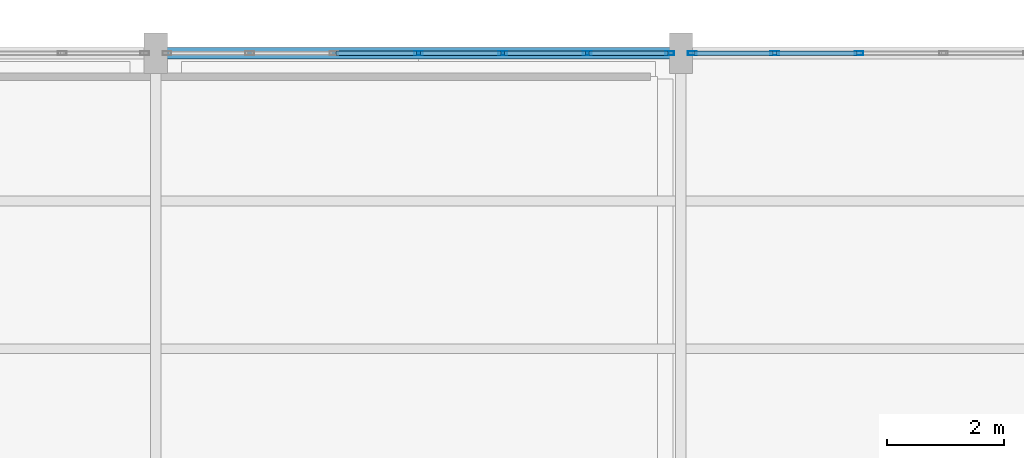
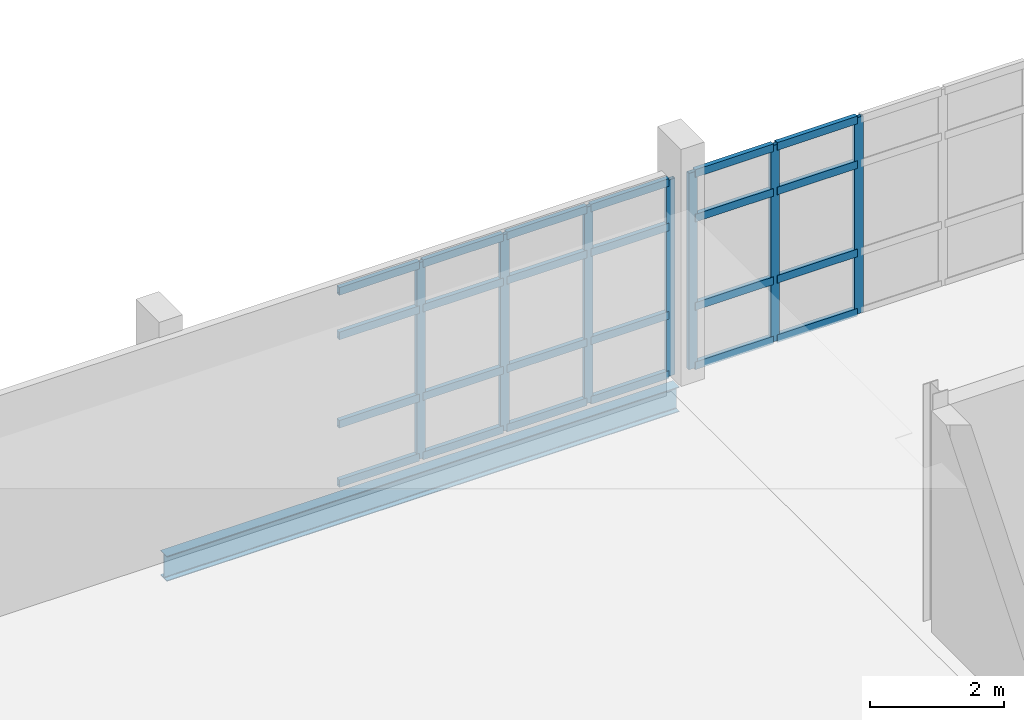
# One storey, part 100 of 174: 31 members, 1 beam, 2 elements without a shape of their own.
"""IFC4 building model written with IfcOpenShell, lengths in metres."""

from ifc_helpers import new_model, si_unit, direction, frame, origin, origin_2d, place, context, subcontext, project, spatial, hollow_rectangle, i_section, extrude, material, material_profile, profile_set, type_object, element, aggregate, save


model = new_model("IFC4")

# Units and contexts
model_context = context("Model", 3, precision=1e-05, world=origin(), true_north=direction((0.0, 1.0)))
body_context = subcontext(model_context, "Body", "Model", "MODEL_VIEW")
ifc_project = project(units=[si_unit("LENGTHUNIT", "METRE"), si_unit("AREAUNIT", "SQUARE_METRE"), si_unit("VOLUMEUNIT", "CUBIC_METRE"), si_unit("PLANEANGLEUNIT", "RADIAN"), si_unit("MASSUNIT", "GRAM", prefix="KILO")], contexts=[model_context])

# Site, building, storey
site_placement = place(None, origin())
site = spatial("IfcSite", under=ifc_project, at=site_placement, CompositionType="ELEMENT")
building_placement = place(site_placement, origin())
building = spatial("IfcBuilding", under=site, at=building_placement, Name="Caisbarro Railhouse Central Library", CompositionType="ELEMENT")
storey_placement = place(building_placement, frame((0.0, 0.0, 5.0400390625)))
storey = spatial("IfcBuildingStorey", under=building, at=storey_placement, Name="L01", CompositionType="ELEMENT", Elevation=5.0400390625)

# Beam
ifc_material_1 = material(Name="Steel ASTM A572 Grade 50", Category="steel")
ifc_material_profile_1 = material_profile(ifc_material_1, i_section(OverallWidth=0.18994140625, OverallDepth=0.45703125, WebThickness=0.009033203125, FlangeThickness=0.014404296875, FilletRadius=0.01806640625, at=origin_2d()), Name="W460X74.0")
ifc_profile_set_1 = profile_set([ifc_material_profile_1], Name="Steel ASTM A572 Grade 50")
beam_type = type_object("IfcBeamType", Name="BM-SP01", PredefinedType="SPANDREL", material=ifc_profile_set_1)
beam_placement = place(storey_placement, frame((72.080078125, 114.0, -0.428466796875), z_axis=(1.0, 0.0, 0.0), x_axis=(0.0, 1.0, 0.0)))
element("IfcBeam", 1, at=beam_placement, inside=storey, type_object=beam_type, Name="SP01 beam L01 #1181", PredefinedType="SPANDREL", context=body_context, shape_type="SweptSolid", body=[
    extrude(i_section(OverallWidth=0.18994140625, OverallDepth=0.45703125, WebThickness=0.009033203125, FlangeThickness=0.014404296875, FilletRadius=0.01806640625, at=origin_2d()), origin(), (0.0, 0.0, 1.0), 8.83984375),
])

# Curtain wall, members
ifc_material_2 = material(Name="Anodised architectural aluminium", Category="aluminium")
curtain_wall_type = type_object("IfcCurtainWallType", Name="CW-CW03", PredefinedType="NOTDEFINED", material=ifc_material_2)
curtain_wall_1_placement = place(storey_placement, origin())
curtain_wall_1 = element("IfcCurtainWall", 2, at=curtain_wall_1_placement, inside=storey, type_object=curtain_wall_type, Name="CW03 curtain wall L01 #175", PredefinedType="NOTDEFINED")
ifc_material_profile_2 = material_profile(ifc_material_2, hollow_rectangle(XDim=0.06494140625, YDim=0.14990234375, WallThickness=0.00390625, at=origin_2d()), Name="ALU-MUL-65X150")
ifc_profile_set_2 = profile_set([ifc_material_profile_2], Name="Anodised architectural aluminium")
member_type_1 = type_object("IfcMemberType", Name="CWM-M02", PredefinedType="MULLION", material=ifc_profile_set_2)
member_1_placement = place(storey_placement, frame((76.5, 114.0, 0.0), z_axis=(0.0, 0.0, 1.0), x_axis=(0.0, 1.0, 0.0)))
member_1 = element("IfcMember", 3, at=member_1_placement, type_object=member_type_1, Name="CW03 mullion 4", PredefinedType="MULLION", context=body_context, shape_type="SweptSolid", body=[
    extrude(hollow_rectangle(XDim=0.06494140625, YDim=0.14990234375, WallThickness=0.00390625, at=origin_2d()), origin(), (0.0, 0.0, 1.0), 3.580078125),
])
member_2_placement = place(storey_placement, frame((77.94677734375, 114.0, 0.0), z_axis=(0.0, 0.0, 1.0), x_axis=(0.0, 1.0, 0.0)))
member_2 = element("IfcMember", 4, at=member_2_placement, type_object=member_type_1, Name="CW03 mullion 5", PredefinedType="MULLION", context=body_context, shape_type="SweptSolid", body=[
    extrude(hollow_rectangle(XDim=0.06494140625, YDim=0.14990234375, WallThickness=0.00390625, at=origin_2d()), origin(), (0.0, 0.0, 1.0), 3.580078125),
])
member_3_placement = place(storey_placement, frame((79.393310546875, 114.0, 0.0), z_axis=(0.0, 0.0, 1.0), x_axis=(0.0, 1.0, 0.0)))
member_3 = element("IfcMember", 5, at=member_3_placement, type_object=member_type_1, Name="CW03 mullion 6", PredefinedType="MULLION", context=body_context, shape_type="SweptSolid", body=[
    extrude(hollow_rectangle(XDim=0.06494140625, YDim=0.14990234375, WallThickness=0.00390625, at=origin_2d()), origin(), (0.0, 0.0, 1.0), 3.580078125),
])
member_4_placement = place(storey_placement, frame((80.8076171875, 114.0, 0.0), z_axis=(0.0, 0.0, 1.0), x_axis=(0.0, 1.0, 0.0)))
member_4 = element("IfcMember", 6, at=member_4_placement, type_object=member_type_1, Name="CW03 mullion 7", PredefinedType="MULLION", context=body_context, shape_type="SweptSolid", body=[
    extrude(hollow_rectangle(XDim=0.06494140625, YDim=0.14990234375, WallThickness=0.00390625, at=origin_2d()), origin(), (0.0, 0.0, 1.0), 3.580078125),
])

curtain_wall_2_placement = place(storey_placement, origin())
curtain_wall_2 = element("IfcCurtainWall", 7, at=curtain_wall_2_placement, inside=storey, type_object=curtain_wall_type, Name="CW03 curtain wall L01 #177", PredefinedType="NOTDEFINED")
member_5_placement = place(storey_placement, frame((81.1923828125, 114.0, 0.0), z_axis=(0.0, 0.0, 1.0), x_axis=(0.0, 1.0, 0.0)))
member_5 = element("IfcMember", 8, at=member_5_placement, type_object=member_type_1, Name="CW03 mullion 1", PredefinedType="MULLION", context=body_context, shape_type="SweptSolid", body=[
    extrude(hollow_rectangle(XDim=0.06494140625, YDim=0.14990234375, WallThickness=0.00390625, at=origin_2d()), origin(), (0.0, 0.0, 1.0), 3.580078125),
])
member_6_placement = place(storey_placement, frame((82.606689453125, 114.0, 0.0), z_axis=(0.0, 0.0, 1.0), x_axis=(0.0, 1.0, 0.0)))
member_6 = element("IfcMember", 9, at=member_6_placement, type_object=member_type_1, Name="CW03 mullion 2", PredefinedType="MULLION", context=body_context, shape_type="SweptSolid", body=[
    extrude(hollow_rectangle(XDim=0.06494140625, YDim=0.14990234375, WallThickness=0.00390625, at=origin_2d()), origin(), (0.0, 0.0, 1.0), 3.580078125),
])
member_7_placement = place(storey_placement, frame((84.05322265625, 114.0, 0.0), z_axis=(0.0, 0.0, 1.0), x_axis=(0.0, 1.0, 0.0)))
member_7 = element("IfcMember", 10, at=member_7_placement, type_object=member_type_1, Name="CW03 mullion 3", PredefinedType="MULLION", context=body_context, shape_type="SweptSolid", body=[
    extrude(hollow_rectangle(XDim=0.06494140625, YDim=0.14990234375, WallThickness=0.00390625, at=origin_2d()), origin(), (0.0, 0.0, 1.0), 3.580078125),
])

# Member
ifc_material_profile_3 = material_profile(ifc_material_2, hollow_rectangle(XDim=0.074951171875, YDim=0.139892578125, WallThickness=0.00390625, at=origin_2d()), Name="ALU-TRN-75X140")
ifc_profile_set_3 = profile_set([ifc_material_profile_3], Name="Anodised architectural aluminium")
member_type_2 = type_object("IfcMemberType", Name="CWT-T01", PredefinedType="USERDEFINED", material=ifc_profile_set_3)
member_8_placement = place(storey_placement, frame((75.0859375, 114.0, 0.037353515625), z_axis=(1.0, 0.0, 0.0), x_axis=(0.0, 1.0, 0.0)))
member_8 = element("IfcMember", 11, at=member_8_placement, type_object=member_type_2, Name="CW03 transom 3.1", ObjectType="TRANSOM", PredefinedType="USERDEFINED", context=body_context, shape_type="SweptSolid", body=[
    extrude(hollow_rectangle(XDim=0.074951171875, YDim=0.139892578125, WallThickness=0.00390625, at=origin_2d()), origin(), (0.0, 0.0, 1.0), 1.381591796875),
])

member_9_placement = place(storey_placement, frame((75.0859375, 114.0, 1.119873046875), z_axis=(1.0, 0.0, 0.0), x_axis=(0.0, 1.0, 0.0)))
member_9 = element("IfcMember", 12, at=member_9_placement, type_object=member_type_2, Name="CW03 transom 3.2", ObjectType="TRANSOM", PredefinedType="USERDEFINED", context=body_context, shape_type="SweptSolid", body=[
    extrude(hollow_rectangle(XDim=0.074951171875, YDim=0.139892578125, WallThickness=0.00390625, at=origin_2d()), origin(), (0.0, 0.0, 1.0), 1.381591796875),
])

member_10_placement = place(storey_placement, frame((75.0859375, 114.0, 2.72998046875), z_axis=(1.0, 0.0, 0.0), x_axis=(0.0, 1.0, 0.0)))
member_10 = element("IfcMember", 13, at=member_10_placement, type_object=member_type_2, Name="CW03 transom 3.3", ObjectType="TRANSOM", PredefinedType="USERDEFINED", context=body_context, shape_type="SweptSolid", body=[
    extrude(hollow_rectangle(XDim=0.074951171875, YDim=0.139892578125, WallThickness=0.00390625, at=origin_2d()), origin(), (0.0, 0.0, 1.0), 1.381591796875),
])

member_11_placement = place(storey_placement, frame((75.0859375, 114.0, 3.54248046875), z_axis=(1.0, 0.0, 0.0), x_axis=(0.0, 1.0, 0.0)))
member_11 = element("IfcMember", 14, at=member_11_placement, type_object=member_type_2, Name="CW03 transom 3.4", ObjectType="TRANSOM", PredefinedType="USERDEFINED", context=body_context, shape_type="SweptSolid", body=[
    extrude(hollow_rectangle(XDim=0.074951171875, YDim=0.139892578125, WallThickness=0.00390625, at=origin_2d()), origin(), (0.0, 0.0, 1.0), 1.381591796875),
])

member_12_placement = place(storey_placement, frame((76.532470703125, 114.0, 0.037353515625), z_axis=(1.0, 0.0, 0.0), x_axis=(0.0, 1.0, 0.0)))
member_12 = element("IfcMember", 15, at=member_12_placement, type_object=member_type_2, Name="CW03 transom 4.1", ObjectType="TRANSOM", PredefinedType="USERDEFINED", context=body_context, shape_type="SweptSolid", body=[
    extrude(hollow_rectangle(XDim=0.074951171875, YDim=0.139892578125, WallThickness=0.00390625, at=origin_2d()), origin(), (0.0, 0.0, 1.0), 1.381591796875),
])

member_13_placement = place(storey_placement, frame((76.532470703125, 114.0, 1.119873046875), z_axis=(1.0, 0.0, 0.0), x_axis=(0.0, 1.0, 0.0)))
member_13 = element("IfcMember", 16, at=member_13_placement, type_object=member_type_2, Name="CW03 transom 4.2", ObjectType="TRANSOM", PredefinedType="USERDEFINED", context=body_context, shape_type="SweptSolid", body=[
    extrude(hollow_rectangle(XDim=0.074951171875, YDim=0.139892578125, WallThickness=0.00390625, at=origin_2d()), origin(), (0.0, 0.0, 1.0), 1.381591796875),
])

member_14_placement = place(storey_placement, frame((76.532470703125, 114.0, 2.72998046875), z_axis=(1.0, 0.0, 0.0), x_axis=(0.0, 1.0, 0.0)))
member_14 = element("IfcMember", 17, at=member_14_placement, type_object=member_type_2, Name="CW03 transom 4.3", ObjectType="TRANSOM", PredefinedType="USERDEFINED", context=body_context, shape_type="SweptSolid", body=[
    extrude(hollow_rectangle(XDim=0.074951171875, YDim=0.139892578125, WallThickness=0.00390625, at=origin_2d()), origin(), (0.0, 0.0, 1.0), 1.381591796875),
])

member_15_placement = place(storey_placement, frame((76.532470703125, 114.0, 3.54248046875), z_axis=(1.0, 0.0, 0.0), x_axis=(0.0, 1.0, 0.0)))
member_15 = element("IfcMember", 18, at=member_15_placement, type_object=member_type_2, Name="CW03 transom 4.4", ObjectType="TRANSOM", PredefinedType="USERDEFINED", context=body_context, shape_type="SweptSolid", body=[
    extrude(hollow_rectangle(XDim=0.074951171875, YDim=0.139892578125, WallThickness=0.00390625, at=origin_2d()), origin(), (0.0, 0.0, 1.0), 1.381591796875),
])

member_16_placement = place(storey_placement, frame((77.979248046875, 114.0, 0.037353515625), z_axis=(1.0, 0.0, 0.0), x_axis=(0.0, 1.0, 0.0)))
member_16 = element("IfcMember", 19, at=member_16_placement, type_object=member_type_2, Name="CW03 transom 5.1", ObjectType="TRANSOM", PredefinedType="USERDEFINED", context=body_context, shape_type="SweptSolid", body=[
    extrude(hollow_rectangle(XDim=0.074951171875, YDim=0.139892578125, WallThickness=0.00390625, at=origin_2d()), origin(), (0.0, 0.0, 1.0), 1.381591796875),
])

member_17_placement = place(storey_placement, frame((77.979248046875, 114.0, 1.119873046875), z_axis=(1.0, 0.0, 0.0), x_axis=(0.0, 1.0, 0.0)))
member_17 = element("IfcMember", 20, at=member_17_placement, type_object=member_type_2, Name="CW03 transom 5.2", ObjectType="TRANSOM", PredefinedType="USERDEFINED", context=body_context, shape_type="SweptSolid", body=[
    extrude(hollow_rectangle(XDim=0.074951171875, YDim=0.139892578125, WallThickness=0.00390625, at=origin_2d()), origin(), (0.0, 0.0, 1.0), 1.381591796875),
])

member_18_placement = place(storey_placement, frame((77.979248046875, 114.0, 2.72998046875), z_axis=(1.0, 0.0, 0.0), x_axis=(0.0, 1.0, 0.0)))
member_18 = element("IfcMember", 21, at=member_18_placement, type_object=member_type_2, Name="CW03 transom 5.3", ObjectType="TRANSOM", PredefinedType="USERDEFINED", context=body_context, shape_type="SweptSolid", body=[
    extrude(hollow_rectangle(XDim=0.074951171875, YDim=0.139892578125, WallThickness=0.00390625, at=origin_2d()), origin(), (0.0, 0.0, 1.0), 1.381591796875),
])

member_19_placement = place(storey_placement, frame((77.979248046875, 114.0, 3.54248046875), z_axis=(1.0, 0.0, 0.0), x_axis=(0.0, 1.0, 0.0)))
member_19 = element("IfcMember", 22, at=member_19_placement, type_object=member_type_2, Name="CW03 transom 5.4", ObjectType="TRANSOM", PredefinedType="USERDEFINED", context=body_context, shape_type="SweptSolid", body=[
    extrude(hollow_rectangle(XDim=0.074951171875, YDim=0.139892578125, WallThickness=0.00390625, at=origin_2d()), origin(), (0.0, 0.0, 1.0), 1.381591796875),
])

member_20_placement = place(storey_placement, frame((79.42578125, 114.0, 0.037353515625), z_axis=(1.0, 0.0, 0.0), x_axis=(0.0, 1.0, 0.0)))
member_20 = element("IfcMember", 23, at=member_20_placement, type_object=member_type_2, Name="CW03 transom 6.1", ObjectType="TRANSOM", PredefinedType="USERDEFINED", context=body_context, shape_type="SweptSolid", body=[
    extrude(hollow_rectangle(XDim=0.074951171875, YDim=0.139892578125, WallThickness=0.00390625, at=origin_2d()), origin(), (0.0, 0.0, 1.0), 1.34912109375),
])

member_21_placement = place(storey_placement, frame((79.42578125, 114.0, 1.119873046875), z_axis=(1.0, 0.0, 0.0), x_axis=(0.0, 1.0, 0.0)))
member_21 = element("IfcMember", 24, at=member_21_placement, type_object=member_type_2, Name="CW03 transom 6.2", ObjectType="TRANSOM", PredefinedType="USERDEFINED", context=body_context, shape_type="SweptSolid", body=[
    extrude(hollow_rectangle(XDim=0.074951171875, YDim=0.139892578125, WallThickness=0.00390625, at=origin_2d()), origin(), (0.0, 0.0, 1.0), 1.34912109375),
])

member_22_placement = place(storey_placement, frame((79.42578125, 114.0, 2.72998046875), z_axis=(1.0, 0.0, 0.0), x_axis=(0.0, 1.0, 0.0)))
member_22 = element("IfcMember", 25, at=member_22_placement, type_object=member_type_2, Name="CW03 transom 6.3", ObjectType="TRANSOM", PredefinedType="USERDEFINED", context=body_context, shape_type="SweptSolid", body=[
    extrude(hollow_rectangle(XDim=0.074951171875, YDim=0.139892578125, WallThickness=0.00390625, at=origin_2d()), origin(), (0.0, 0.0, 1.0), 1.34912109375),
])

member_23_placement = place(storey_placement, frame((79.42578125, 114.0, 3.54248046875), z_axis=(1.0, 0.0, 0.0), x_axis=(0.0, 1.0, 0.0)))
member_23 = element("IfcMember", 26, at=member_23_placement, type_object=member_type_2, Name="CW03 transom 6.4", ObjectType="TRANSOM", PredefinedType="USERDEFINED", context=body_context, shape_type="SweptSolid", body=[
    extrude(hollow_rectangle(XDim=0.074951171875, YDim=0.139892578125, WallThickness=0.00390625, at=origin_2d()), origin(), (0.0, 0.0, 1.0), 1.34912109375),
])

aggregate(curtain_wall_1, [member_1, member_2, member_3, member_4, member_8, member_9, member_10, member_11, member_12, member_13, member_14, member_15, member_16, member_17, member_18, member_19, member_20, member_21, member_22, member_23])

member_24_placement = place(storey_placement, frame((81.22509765625, 114.0, 0.037353515625), z_axis=(1.0, 0.0, 0.0), x_axis=(0.0, 1.0, 0.0)))
member_24 = element("IfcMember", 27, at=member_24_placement, type_object=member_type_2, Name="CW03 transom 1.1", ObjectType="TRANSOM", PredefinedType="USERDEFINED", context=body_context, shape_type="SweptSolid", body=[
    extrude(hollow_rectangle(XDim=0.074951171875, YDim=0.139892578125, WallThickness=0.00390625, at=origin_2d()), origin(), (0.0, 0.0, 1.0), 1.34912109375),
])

member_25_placement = place(storey_placement, frame((81.22509765625, 114.0, 1.119873046875), z_axis=(1.0, 0.0, 0.0), x_axis=(0.0, 1.0, 0.0)))
member_25 = element("IfcMember", 28, at=member_25_placement, type_object=member_type_2, Name="CW03 transom 1.2", ObjectType="TRANSOM", PredefinedType="USERDEFINED", context=body_context, shape_type="SweptSolid", body=[
    extrude(hollow_rectangle(XDim=0.074951171875, YDim=0.139892578125, WallThickness=0.00390625, at=origin_2d()), origin(), (0.0, 0.0, 1.0), 1.34912109375),
])

member_26_placement = place(storey_placement, frame((81.22509765625, 114.0, 2.72998046875), z_axis=(1.0, 0.0, 0.0), x_axis=(0.0, 1.0, 0.0)))
member_26 = element("IfcMember", 29, at=member_26_placement, type_object=member_type_2, Name="CW03 transom 1.3", ObjectType="TRANSOM", PredefinedType="USERDEFINED", context=body_context, shape_type="SweptSolid", body=[
    extrude(hollow_rectangle(XDim=0.074951171875, YDim=0.139892578125, WallThickness=0.00390625, at=origin_2d()), origin(), (0.0, 0.0, 1.0), 1.34912109375),
])

member_27_placement = place(storey_placement, frame((81.22509765625, 114.0, 3.54248046875), z_axis=(1.0, 0.0, 0.0), x_axis=(0.0, 1.0, 0.0)))
member_27 = element("IfcMember", 30, at=member_27_placement, type_object=member_type_2, Name="CW03 transom 1.4", ObjectType="TRANSOM", PredefinedType="USERDEFINED", context=body_context, shape_type="SweptSolid", body=[
    extrude(hollow_rectangle(XDim=0.074951171875, YDim=0.139892578125, WallThickness=0.00390625, at=origin_2d()), origin(), (0.0, 0.0, 1.0), 1.34912109375),
])

member_28_placement = place(storey_placement, frame((82.63916015625, 114.0, 0.037353515625), z_axis=(1.0, 0.0, 0.0), x_axis=(0.0, 1.0, 0.0)))
member_28 = element("IfcMember", 31, at=member_28_placement, type_object=member_type_2, Name="CW03 transom 2.1", ObjectType="TRANSOM", PredefinedType="USERDEFINED", context=body_context, shape_type="SweptSolid", body=[
    extrude(hollow_rectangle(XDim=0.074951171875, YDim=0.139892578125, WallThickness=0.00390625, at=origin_2d()), origin(), (0.0, 0.0, 1.0), 1.381591796875),
])

member_29_placement = place(storey_placement, frame((82.63916015625, 114.0, 1.119873046875), z_axis=(1.0, 0.0, 0.0), x_axis=(0.0, 1.0, 0.0)))
member_29 = element("IfcMember", 32, at=member_29_placement, type_object=member_type_2, Name="CW03 transom 2.2", ObjectType="TRANSOM", PredefinedType="USERDEFINED", context=body_context, shape_type="SweptSolid", body=[
    extrude(hollow_rectangle(XDim=0.074951171875, YDim=0.139892578125, WallThickness=0.00390625, at=origin_2d()), origin(), (0.0, 0.0, 1.0), 1.381591796875),
])

member_30_placement = place(storey_placement, frame((82.63916015625, 114.0, 2.72998046875), z_axis=(1.0, 0.0, 0.0), x_axis=(0.0, 1.0, 0.0)))
member_30 = element("IfcMember", 33, at=member_30_placement, type_object=member_type_2, Name="CW03 transom 2.3", ObjectType="TRANSOM", PredefinedType="USERDEFINED", context=body_context, shape_type="SweptSolid", body=[
    extrude(hollow_rectangle(XDim=0.074951171875, YDim=0.139892578125, WallThickness=0.00390625, at=origin_2d()), origin(), (0.0, 0.0, 1.0), 1.381591796875),
])

member_31_placement = place(storey_placement, frame((82.63916015625, 114.0, 3.54248046875), z_axis=(1.0, 0.0, 0.0), x_axis=(0.0, 1.0, 0.0)))
member_31 = element("IfcMember", 34, at=member_31_placement, type_object=member_type_2, Name="CW03 transom 2.4", ObjectType="TRANSOM", PredefinedType="USERDEFINED", context=body_context, shape_type="SweptSolid", body=[
    extrude(hollow_rectangle(XDim=0.074951171875, YDim=0.139892578125, WallThickness=0.00390625, at=origin_2d()), origin(), (0.0, 0.0, 1.0), 1.381591796875),
])

aggregate(curtain_wall_2, [member_5, member_6, member_7, member_24, member_25, member_26, member_27, member_28, member_29, member_30, member_31])

save(model, "model.ifc")
